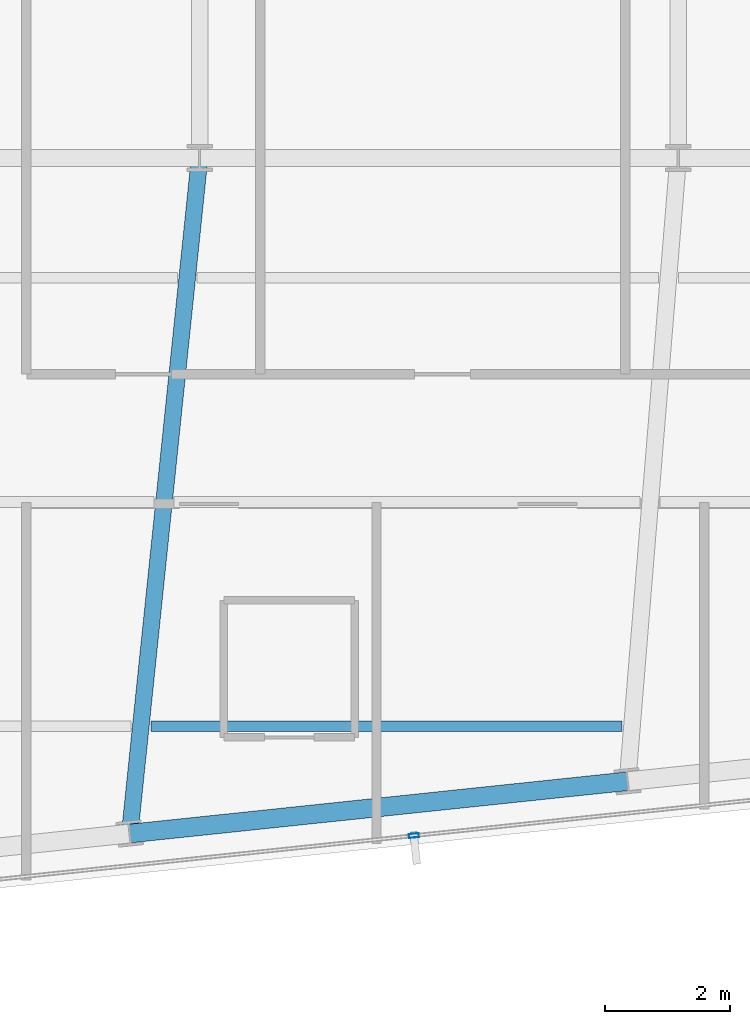
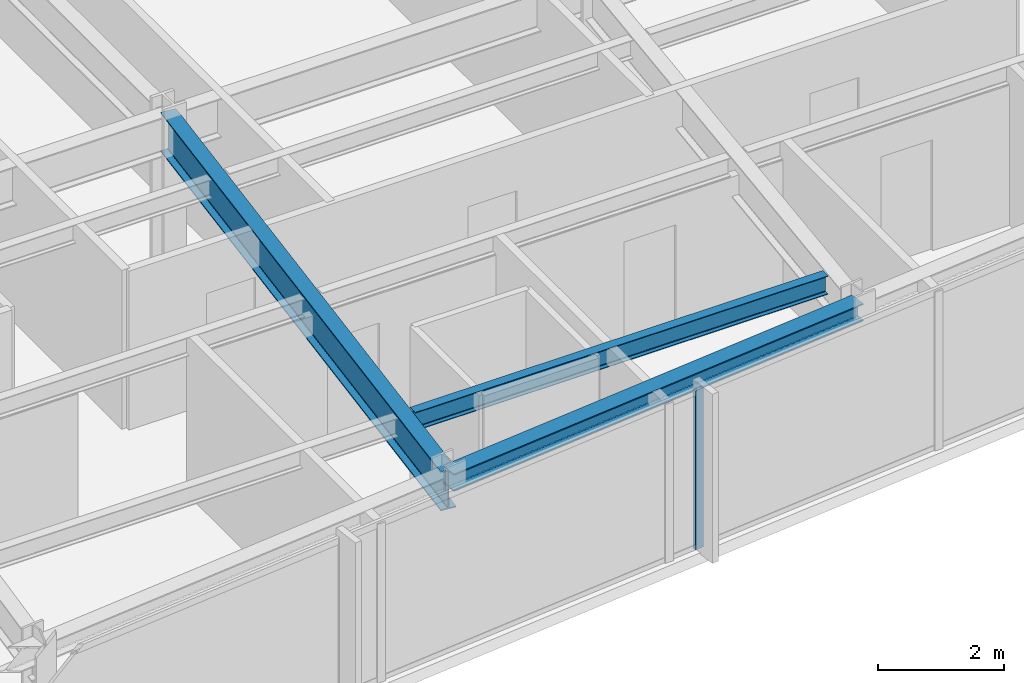
# One storey, part 8 of 32: 3 beams, 1 member, 1 element without a shape of its own.
"""IFC4 building model written with IfcOpenShell, lengths in metres."""

from ifc_helpers import new_model, si_unit, direction, frame, origin, origin_2d, place, context, subcontext, project, spatial, hollow_rectangle, i_section, extrude, material, material_profile, profile_set, type_object, element, aggregate, save


model = new_model("IFC4")

# Units and contexts
model_context = context("Model", 3, precision=1e-05, world=origin(), true_north=direction((0.0, 1.0)))
body_context = subcontext(model_context, "Body", "Model", "MODEL_VIEW")
ifc_project = project(units=[si_unit("LENGTHUNIT", "METRE"), si_unit("AREAUNIT", "SQUARE_METRE"), si_unit("VOLUMEUNIT", "CUBIC_METRE"), si_unit("PLANEANGLEUNIT", "RADIAN"), si_unit("MASSUNIT", "GRAM", prefix="KILO")], contexts=[model_context])

# Site, building, storey
site_placement = place(None, origin())
site = spatial("IfcSite", under=ifc_project, at=site_placement, CompositionType="ELEMENT")
building_placement = place(site_placement, origin())
building = spatial("IfcBuilding", under=site, at=building_placement, Name="Yelkora Congress Tower", CompositionType="ELEMENT")
storey_placement = place(building_placement, frame((0.0, 0.0, 217.699951171875)))
storey = spatial("IfcBuildingStorey", under=building, at=storey_placement, Name="L60", CompositionType="ELEMENT", Elevation=217.699951171875)

# Beams
ifc_material_1 = material(Name="Steel S355J2", Category="steel")
ifc_material_profile_1 = material_profile(ifc_material_1, i_section(OverallWidth=0.26708984375, OverallDepth=0.761962890625, WebThickness=0.014404296875, FlangeThickness=0.021484375, FilletRadius=0.01708984375, at=origin_2d()), Name="IPE 750x173")
ifc_profile_set_1 = profile_set([ifc_material_profile_1], Name="Steel S355J2")
beam_type_1 = type_object("IfcBeamType", Name="BM-GIRD-IPE750", PredefinedType="BEAM", material=ifc_profile_set_1)
beam_1_placement = place(storey_placement, frame((37.277587890625, 14.35791015625, 2.698974609375), z_axis=(0.102964870035, 0.99468499312, 0.0), x_axis=(-0.99468499312, 0.102964870035, 0.0)))
element("IfcBeam", 1, at=beam_1_placement, inside=storey, type_object=beam_type_1, Name="L60 Primary Frame Girder S03", PredefinedType="BEAM", context=body_context, shape_type="SweptSolid", body=[
    extrude(i_section(OverallWidth=0.26708984375, OverallDepth=0.761962890625, WebThickness=0.014404296875, FlangeThickness=0.021484375, FilletRadius=0.01708984375, at=origin_2d()), origin(), (0.0, 0.0, 1.0), 10.89990234375),
])
ifc_material_profile_2 = material_profile(ifc_material_1, i_section(OverallWidth=0.169921875, OverallDepth=0.360107421875, WebThickness=0.008056640625, FlangeThickness=0.0126953125, FilletRadius=0.01806640625, at=origin_2d()), Name="IPE 360")
ifc_profile_set_2 = profile_set([ifc_material_profile_2], Name="Steel S355J2")
beam_type_2 = type_object("IfcBeamType", Name="BM-JOIST-IPE360", PredefinedType="JOIST", material=ifc_profile_set_2)
beam_2_placement = place(storey_placement, frame((37.61572265625, 16.07861328125, 2.900146484375), z_axis=(1.0, 0.0, 0.0), x_axis=(0.0, 1.0, 0.0)))
element("IfcBeam", 2, at=beam_2_placement, inside=storey, type_object=beam_type_2, Name="L60 Composite Floor Joist 2", PredefinedType="JOIST", context=body_context, shape_type="SweptSolid", body=[
    extrude(i_section(OverallWidth=0.169921875, OverallDepth=0.360107421875, WebThickness=0.008056640625, FlangeThickness=0.0126953125, FilletRadius=0.01806640625, at=origin_2d()), origin(), (0.0, 0.0, 1.0), 7.56298828125),
])
ifc_material_profile_3 = material_profile(ifc_material_1, i_section(OverallWidth=0.300048828125, OverallDepth=0.340087890625, WebThickness=0.011962890625, FlangeThickness=0.021484375, FilletRadius=0.027099609375, at=origin_2d()), Name="HEB 340")
ifc_profile_set_3 = profile_set([ifc_material_profile_3], Name="Steel S355J2")
beam_type_3 = type_object("IfcBeamType", Name="BM-SPAN-HEB340", PredefinedType="SPANDREL", material=ifc_profile_set_3)
beam_3_placement = place(storey_placement, frame((37.277587890625, 14.35791015625, 2.91015625), z_axis=(0.99452358891, 0.104512349038, 0.0), x_axis=(-0.104512349038, 0.99452358891, 0.0)))
element("IfcBeam", 3, at=beam_3_placement, inside=storey, type_object=beam_type_3, Name="L60 Perimeter Beam 5", PredefinedType="SPANDREL", context=body_context, shape_type="SweptSolid", body=[
    extrude(i_section(OverallWidth=0.300048828125, OverallDepth=0.340087890625, WebThickness=0.011962890625, FlangeThickness=0.021484375, FilletRadius=0.027099609375, at=origin_2d()), origin(), (0.0, 0.0, 1.0), 8.033447265625),
])

# Curtain wall, member
ifc_material_2 = material(Name="Anodised aluminium and insulated glass", Category="aluminium")
curtain_wall_type = type_object("IfcCurtainWallType", Name="CW-SYS-B4", PredefinedType="NOTDEFINED", material=ifc_material_2)
curtain_wall_placement = place(storey_placement, origin())
curtain_wall = element("IfcCurtainWall", 4, at=curtain_wall_placement, inside=storey, type_object=curtain_wall_type, Name="L60 Unitised Curtain Wall 20", PredefinedType="NOTDEFINED")
ifc_material_3 = material(Name="Anodised aluminium 6063-T6", Category="aluminium")
ifc_material_profile_4 = material_profile(ifc_material_3, hollow_rectangle(XDim=0.06494140625, YDim=0.159912109375, WallThickness=0.00390625, at=origin_2d()), Name="ALU 65x160x4")
ifc_profile_set_4 = profile_set([ifc_material_profile_4], Name="Anodised aluminium 6063-T6")
member_type = type_object("IfcMemberType", Name="MEM-ML-B4", PredefinedType="MULLION", material=ifc_profile_set_4)
member_placement = place(storey_placement, frame((41.838134765625, 14.324462890625, 0.0), z_axis=(0.0, 0.0, 1.0), x_axis=(0.104526664994, -0.994522084373, 0.0)))
member = element("IfcMember", 5, at=member_placement, type_object=member_type, Name="CW-B4 mullion 5", PredefinedType="MULLION", context=body_context, shape_type="SweptSolid", body=[
    extrude(hollow_rectangle(XDim=0.06494140625, YDim=0.159912109375, WallThickness=0.00390625, at=origin_2d()), origin(), (0.0, 0.0, 1.0), 3.080078125),
])
aggregate(curtain_wall, [member])

save(model, "model.ifc")
